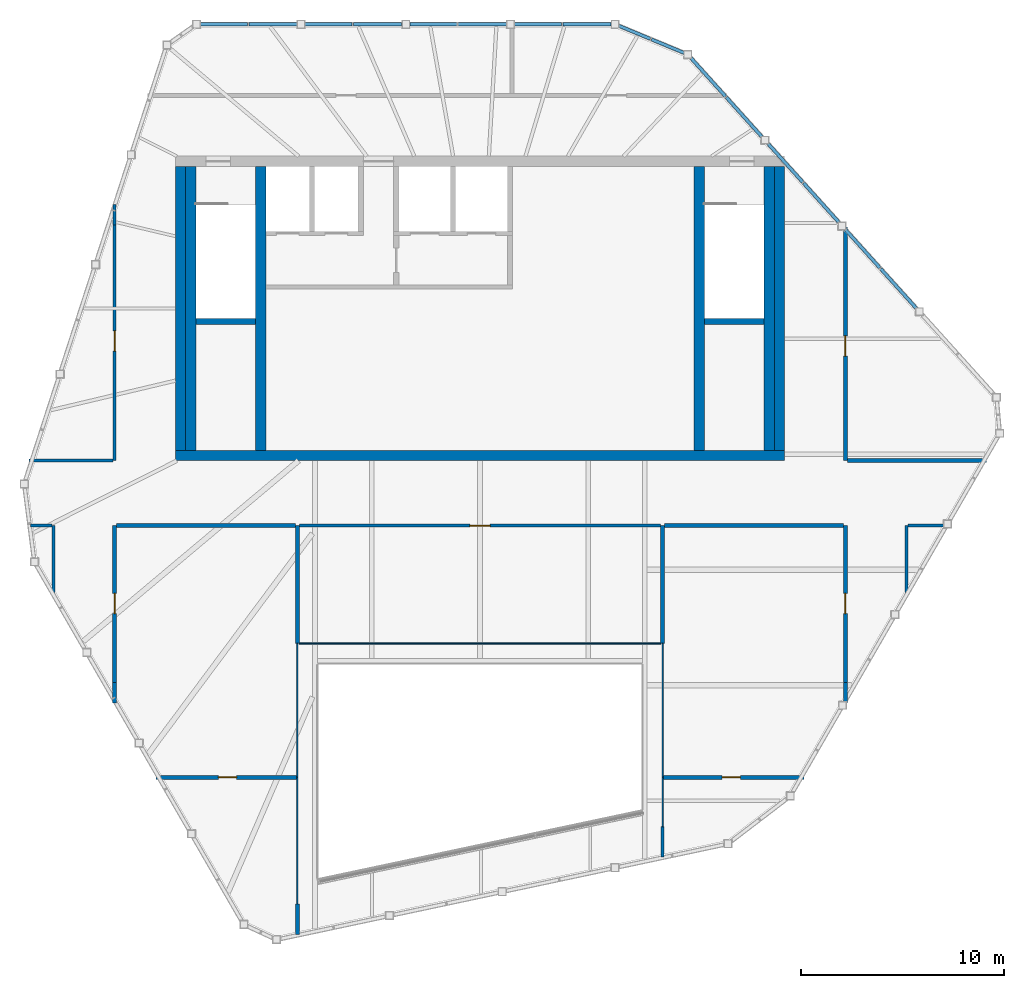
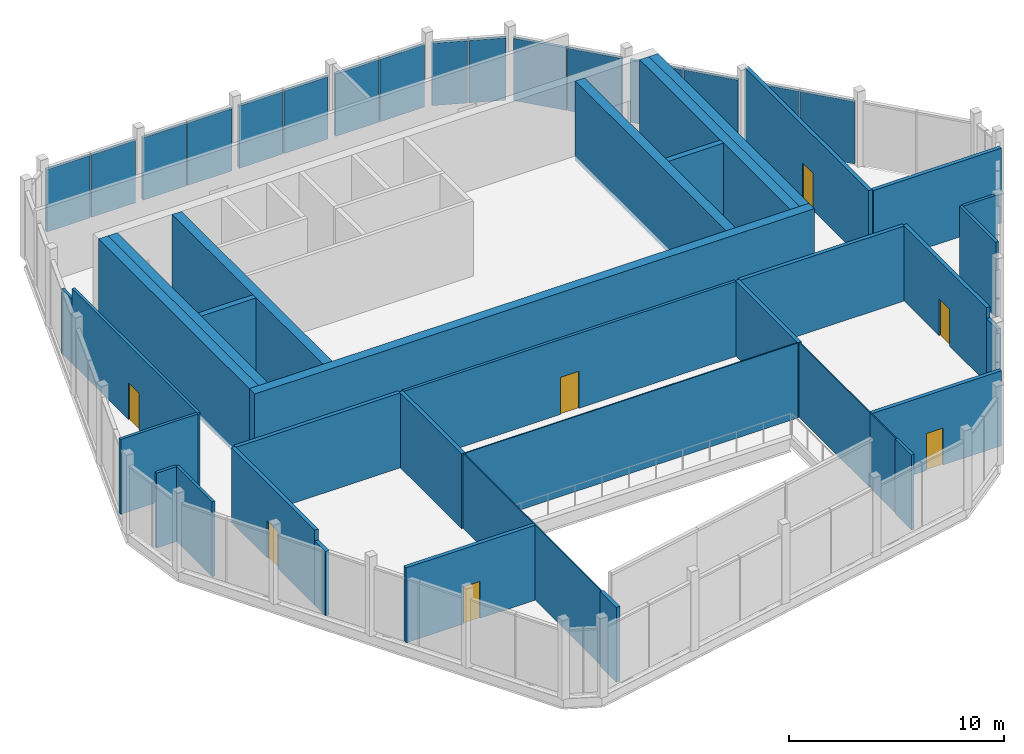
# One storey, part 8 of 10: 36 walls, 16 plates, 7 doors, 7 openings, 3 elements without a shape of their own.
"""IFC4 building model written with IfcOpenShell, lengths in metres."""

from ifc_helpers import new_model, si_unit, direction, frame, frame_2d, origin, origin_2d, place, context, subcontext, project, spatial, rectangle, extrude, material, layer, layer_set, type_object, element, fill, aggregate, save


model = new_model("IFC4")

# Units and contexts
model_context = context("Model", 3, precision=1e-05, world=origin(), true_north=direction((0.0, 1.0)))
body_context = subcontext(model_context, "Body", "Model", "MODEL_VIEW")
ifc_project = project(units=[si_unit("LENGTHUNIT", "METRE"), si_unit("AREAUNIT", "SQUARE_METRE"), si_unit("VOLUMEUNIT", "CUBIC_METRE"), si_unit("PLANEANGLEUNIT", "RADIAN"), si_unit("MASSUNIT", "GRAM", prefix="KILO")], contexts=[model_context])

# Site, building, storey
site_placement = place(None, origin())
site = spatial("IfcSite", under=ifc_project, at=site_placement, CompositionType="ELEMENT")
building_placement = place(site_placement, origin())
building = spatial("IfcBuilding", under=site, at=building_placement, Name="Isthmus Gate Tower", CompositionType="ELEMENT")
storey_placement = place(building_placement, frame((0.0, 0.0, 311.10009765625)))
storey = spatial("IfcBuildingStorey", under=building, at=storey_placement, Name="C3", CompositionType="ELEMENT", Elevation=311.10009765625)

# Curtain wall, plates
ifc_material_1 = material(Name="Aluminium, pale champagne anodised", Category="aluminium")
ifc_layer_1 = layer(ifc_material_1, 0.199951171875)
ifc_layer_set_1 = layer_set([ifc_layer_1], Name="CW-2 LOUVRE CURTAIN WALL 200 DEEP")
curtain_wall_type = type_object("IfcCurtainWallType", Name="CW-2 LOUVRE CURTAIN WALL 200 DEEP", PredefinedType="NOTDEFINED", material=ifc_layer_set_1)
curtain_wall_1_placement = place(storey_placement, origin())
curtain_wall_1 = element("IfcCurtainWall", 1, at=curtain_wall_1_placement, inside=storey, type_object=curtain_wall_type, Name="CW-2 E00 C3", PredefinedType="NOTDEFINED")
ifc_material_2 = material(Name="Aluminium louvre blades, pale champagne anodised", Category="aluminium")
ifc_layer_2 = layer(ifc_material_2, 0.159912109375)
ifc_layer_set_2 = layer_set([ifc_layer_2], Name="CW-2 LOUVRE PANEL 160")
plate_type = type_object("IfcPlateType", Name="CW-2 LOUVRE PANEL 160", PredefinedType="CURTAIN_PANEL", material=ifc_layer_set_2)
plate_1_placement = place(storey_placement, frame((5.26904296875, 21.5, -0.000244140625), z_axis=(0.0, 0.0, 1.0), x_axis=(-1.0, 0.0, 0.0)))
plate_1 = element("IfcPlate", 2, at=plate_1_placement, type_object=plate_type, Name="CW-2 louvre panel", PredefinedType="CURTAIN_PANEL", context=body_context, shape_type="SweptSolid", body=[
    extrude(rectangle(XDim=2.37548828125, YDim=0.159912109375, at=origin_2d()), origin(), (0.0, 0.0, 1.0), 3.5341796875),
])
plate_2_placement = place(storey_placement, frame((2.863525390625, 21.5, -0.000244140625), z_axis=(0.0, 0.0, 1.0), x_axis=(-1.0, 0.0, 0.0)))
plate_2 = element("IfcPlate", 3, at=plate_2_placement, type_object=plate_type, Name="CW-2 louvre panel", PredefinedType="CURTAIN_PANEL", context=body_context, shape_type="SweptSolid", body=[
    extrude(rectangle(XDim=2.3154296875, YDim=0.159912109375, at=origin_2d()), origin(), (0.0, 0.0, 1.0), 3.5341796875),
])
plate_3_placement = place(storey_placement, frame((0.11181640625, 21.5, -0.000244140625), z_axis=(0.0, 0.0, 1.0), x_axis=(-1.0, 0.0, 0.0)))
plate_3 = element("IfcPlate", 4, at=plate_3_placement, type_object=plate_type, Name="CW-2 louvre panel", PredefinedType="CURTAIN_PANEL", context=body_context, shape_type="SweptSolid", body=[
    extrude(rectangle(XDim=2.37548828125, YDim=0.159912109375, at=origin_2d()), origin(), (0.0, 0.0, 1.0), 3.5341796875),
])
plate_4_placement = place(storey_placement, frame((-2.293701171875, 21.5, -0.000244140625), z_axis=(0.0, 0.0, 1.0), x_axis=(-1.0, 0.0, 0.0)))
plate_4 = element("IfcPlate", 5, at=plate_4_placement, type_object=plate_type, Name="CW-2 louvre panel", PredefinedType="CURTAIN_PANEL", context=body_context, shape_type="SweptSolid", body=[
    extrude(rectangle(XDim=2.3154296875, YDim=0.159912109375, at=origin_2d()), origin(), (0.0, 0.0, 1.0), 3.5341796875),
])
plate_5_placement = place(storey_placement, frame((-5.045654296875, 21.5, -0.000244140625), z_axis=(0.0, 0.0, 1.0), x_axis=(-1.0, 0.0, 0.0)))
plate_5 = element("IfcPlate", 6, at=plate_5_placement, type_object=plate_type, Name="CW-2 louvre panel", PredefinedType="CURTAIN_PANEL", context=body_context, shape_type="SweptSolid", body=[
    extrude(rectangle(XDim=2.37548828125, YDim=0.159912109375, at=origin_2d()), origin(), (0.0, 0.0, 1.0), 3.5341796875),
])
plate_6_placement = place(storey_placement, frame((-7.451171875, 21.5, -0.000244140625), z_axis=(0.0, 0.0, 1.0), x_axis=(-1.0, 0.0, 0.0)))
plate_6 = element("IfcPlate", 7, at=plate_6_placement, type_object=plate_type, Name="CW-2 louvre panel", PredefinedType="CURTAIN_PANEL", context=body_context, shape_type="SweptSolid", body=[
    extrude(rectangle(XDim=2.3154296875, YDim=0.159912109375, at=origin_2d()), origin(), (0.0, 0.0, 1.0), 3.5341796875),
])
plate_7_placement = place(storey_placement, frame((-10.202880859375, 21.5, -0.000244140625), z_axis=(0.0, 0.0, 1.0), x_axis=(-1.0, 0.0, 0.0)))
plate_7 = element("IfcPlate", 8, at=plate_7_placement, type_object=plate_type, Name="CW-2 louvre panel", PredefinedType="CURTAIN_PANEL", context=body_context, shape_type="SweptSolid", body=[
    extrude(rectangle(XDim=2.37548828125, YDim=0.159912109375, at=origin_2d()), origin(), (0.0, 0.0, 1.0), 3.5341796875),
])
plate_8_placement = place(storey_placement, frame((-12.6083984375, 21.5, -0.000244140625), z_axis=(0.0, 0.0, 1.0), x_axis=(-1.0, 0.0, 0.0)))
plate_8 = element("IfcPlate", 9, at=plate_8_placement, type_object=plate_type, Name="CW-2 louvre panel", PredefinedType="CURTAIN_PANEL", context=body_context, shape_type="SweptSolid", body=[
    extrude(rectangle(XDim=2.3154296875, YDim=0.159912109375, at=origin_2d()), origin(), (0.0, 0.0, 1.0), 3.5341796875),
])
aggregate(curtain_wall_1, [plate_1, plate_2, plate_3, plate_4, plate_5, plate_6, plate_7, plate_8])

curtain_wall_2_placement = place(storey_placement, origin())
curtain_wall_2 = element("IfcCurtainWall", 10, at=curtain_wall_2_placement, inside=storey, type_object=curtain_wall_type, Name="CW-2 E10 C3", PredefinedType="NOTDEFINED")
plate_9_placement = place(storey_placement, frame((20.623779296875, 8.47509765625, -0.000244140625), z_axis=(0.0, 0.0, 1.0), x_axis=(-0.669130606359, 0.743144825477, 0.0)))
plate_9 = element("IfcPlate", 11, at=plate_9_placement, type_object=plate_type, Name="CW-2 louvre panel", PredefinedType="CURTAIN_PANEL", context=body_context, shape_type="SweptSolid", body=[
    extrude(rectangle(XDim=2.638427734375, YDim=0.159912109375, at=origin_2d()), origin(), (0.0, 0.0, 1.0), 3.5341796875),
])
plate_10_placement = place(storey_placement, frame((18.83837890625, 10.4580078125, -0.000244140625), z_axis=(0.0, 0.0, 1.0), x_axis=(-0.669130606359, 0.743144825477, 0.0)))
plate_10 = element("IfcPlate", 12, at=plate_10_placement, type_object=plate_type, Name="CW-2 louvre panel", PredefinedType="CURTAIN_PANEL", context=body_context, shape_type="SweptSolid", body=[
    extrude(rectangle(XDim=2.578369140625, YDim=0.159912109375, at=origin_2d()), origin(), (0.0, 0.0, 1.0), 3.5341796875),
])
plate_11_placement = place(storey_placement, frame((16.821044921875, 12.698486328125, -0.000244140625), z_axis=(0.0, 0.0, 1.0), x_axis=(-0.669130606359, 0.743144825477, 0.0)))
plate_11 = element("IfcPlate", 13, at=plate_11_placement, type_object=plate_type, Name="CW-2 louvre panel", PredefinedType="CURTAIN_PANEL", context=body_context, shape_type="SweptSolid", body=[
    extrude(rectangle(XDim=2.638427734375, YDim=0.159912109375, at=origin_2d()), origin(), (0.0, 0.0, 1.0), 3.5341796875),
])
plate_12_placement = place(storey_placement, frame((15.03564453125, 14.681396484375, -0.000244140625), z_axis=(0.0, 0.0, 1.0), x_axis=(-0.669130606359, 0.743144825477, 0.0)))
plate_12 = element("IfcPlate", 14, at=plate_12_placement, type_object=plate_type, Name="CW-2 louvre panel", PredefinedType="CURTAIN_PANEL", context=body_context, shape_type="SweptSolid", body=[
    extrude(rectangle(XDim=2.578369140625, YDim=0.159912109375, at=origin_2d()), origin(), (0.0, 0.0, 1.0), 3.5341796875),
])
plate_13_placement = place(storey_placement, frame((13.018310546875, 16.921630859375, -0.000244140625), z_axis=(0.0, 0.0, 1.0), x_axis=(-0.669130606359, 0.743144825477, 0.0)))
plate_13 = element("IfcPlate", 15, at=plate_13_placement, type_object=plate_type, Name="CW-2 louvre panel", PredefinedType="CURTAIN_PANEL", context=body_context, shape_type="SweptSolid", body=[
    extrude(rectangle(XDim=2.638427734375, YDim=0.159912109375, at=origin_2d()), origin(), (0.0, 0.0, 1.0), 3.5341796875),
])
plate_14_placement = place(storey_placement, frame((11.23291015625, 18.904541015625, -0.000244140625), z_axis=(0.0, 0.0, 1.0), x_axis=(-0.669130606359, 0.743144825477, 0.0)))
plate_14 = element("IfcPlate", 16, at=plate_14_placement, type_object=plate_type, Name="CW-2 louvre panel", PredefinedType="CURTAIN_PANEL", context=body_context, shape_type="SweptSolid", body=[
    extrude(rectangle(XDim=2.578369140625, YDim=0.159912109375, at=origin_2d()), origin(), (0.0, 0.0, 1.0), 3.5341796875),
])
aggregate(curtain_wall_2, [plate_9, plate_10, plate_11, plate_12, plate_13, plate_14])

curtain_wall_3_placement = place(storey_placement, origin())
curtain_wall_3 = element("IfcCurtainWall", 17, at=curtain_wall_3_placement, inside=storey, type_object=curtain_wall_type, Name="CW-2 E11 C3", PredefinedType="NOTDEFINED")
plate_15_placement = place(storey_placement, frame((9.2470703125, 20.42431640625, -0.000244140625), z_axis=(0.0, 0.0, 1.0), x_axis=(-0.923353128387, 0.383951820282, 0.0)))
plate_15 = element("IfcPlate", 18, at=plate_15_placement, type_object=plate_type, Name="CW-2 louvre panel", PredefinedType="CURTAIN_PANEL", context=body_context, shape_type="SweptSolid", body=[
    extrude(rectangle(XDim=1.732421875, YDim=0.159912109375, at=origin_2d()), origin(), (0.0, 0.0, 1.0), 3.5341796875),
])
plate_16_placement = place(storey_placement, frame((7.61962890625, 21.100830078125, -0.000244140625), z_axis=(0.0, 0.0, 1.0), x_axis=(-0.923353128387, 0.383951820282, 0.0)))
plate_16 = element("IfcPlate", 19, at=plate_16_placement, type_object=plate_type, Name="CW-2 louvre panel", PredefinedType="CURTAIN_PANEL", context=body_context, shape_type="SweptSolid", body=[
    extrude(rectangle(XDim=1.67236328125, YDim=0.159912109375, at=origin_2d()), origin(), (0.0, 0.0, 1.0), 3.5341796875),
])
aggregate(curtain_wall_3, [plate_15, plate_16])

# Wall, opening, door
ifc_material_3 = material(Name="Concrete f'c 30 MPa", Category="concrete")
ifc_layer_3 = layer(ifc_material_3, 0.199951171875)
ifc_layer_set_3 = layer_set([ifc_layer_3], Name="Fire-rated block wall 200")
wall_type_1 = type_object("IfcWallType", Name="Fire-rated block wall 200", PredefinedType="PARTITIONING", material=ifc_layer_set_3)
wall_1_placement = place(storey_placement, frame((-15.954833984375, -15.60009765625, 0.0), z_axis=(0.0, 0.0, 1.0), x_axis=(1.0, 0.0, 0.0)))
wall_1 = element("IfcWall", 20, at=wall_1_placement, inside=storey, type_object=wall_type_1, Name="Fire-rated wall", PredefinedType="PARTITIONING", context=body_context, shape_type="SweptSolid", body=[
    extrude(rectangle(XDim=6.9248046875, YDim=0.199951171875, at=frame_2d((3.46240234375, 0.0))), origin(), (0.0, 0.0, 1.0), 4.25),
])
opening_1_placement = place(wall_1_placement, frame((3.070068359375, 0.0, 0.0)))
opening_1 = element("IfcOpeningElement", 21, at=opening_1_placement, cuts=wall_1, Name="Opening DP79-08", PredefinedType="OPENING", context=body_context, shape_type="SweptSolid", body=[
    extrude(rectangle(XDim=0.89990234375, YDim=2.10009765625, at=frame_2d((0.449951171875, 1.050048828125))), frame((0.0, 0.10986328125, 0.0), z_axis=(0.0, -1.0, 0.0), x_axis=(1.0, 0.0, 0.0)), (0.0, 0.0, 1.0), 0.219970703125),
])
ifc_material_4 = material(Name="Steel fire door with intumescent seals", Category="steel")
door_type_1 = type_object("IfcDoorType", Name="Fire door 900 x 2100", OperationType="SINGLE_SWING_LEFT", PredefinedType="DOOR", material=ifc_material_4)
door_1_placement = place(opening_1_placement, origin())
door_1 = element("IfcDoor", 22, at=door_1_placement, inside=storey, type_object=door_type_1, Name="Door DP79-08", OperationType="SINGLE_SWING_LEFT", OverallHeight=2.10009765625, OverallWidth=0.89990234375, PredefinedType="DOOR", context=body_context, shape_type="SweptSolid", body=[
    extrude(rectangle(XDim=0.89990234375, YDim=2.10009765625, at=frame_2d((0.449951171875, 1.050048828125))), frame((0.0, 0.02490234375, 0.0), z_axis=(0.0, -1.0, 0.0), x_axis=(1.0, 0.0, 0.0)), (0.0, 0.0, 1.0), 0.050048828125),
])
fill(opening_1, door_1)

wall_2_placement = place(storey_placement, frame((9.030029296875, -15.60009765625, 0.0), z_axis=(0.0, 0.0, 1.0), x_axis=(1.0, 0.0, 0.0)))
wall_2 = element("IfcWall", 23, at=wall_2_placement, inside=storey, type_object=wall_type_1, Name="Fire-rated wall", PredefinedType="PARTITIONING", context=body_context, shape_type="SweptSolid", body=[
    extrude(rectangle(XDim=6.9248046875, YDim=0.199951171875, at=frame_2d((3.46240234375, 0.0))), origin(), (0.0, 0.0, 1.0), 4.25),
])
opening_2_placement = place(wall_2_placement, frame((2.89990234375, 0.0, 0.0)))
opening_2 = element("IfcOpeningElement", 24, at=opening_2_placement, cuts=wall_2, Name="Opening DP79-09", PredefinedType="OPENING", context=body_context, shape_type="SweptSolid", body=[
    extrude(rectangle(XDim=0.89990234375, YDim=2.10009765625, at=frame_2d((0.449951171875, 1.050048828125))), frame((0.0, 0.10986328125, 0.0), z_axis=(0.0, -1.0, 0.0), x_axis=(1.0, 0.0, 0.0)), (0.0, 0.0, 1.0), 0.219970703125),
])
door_2_placement = place(opening_2_placement, origin())
door_2 = element("IfcDoor", 25, at=door_2_placement, inside=storey, type_object=door_type_1, Name="Door DP79-09", OperationType="SINGLE_SWING_LEFT", OverallHeight=2.10009765625, OverallWidth=0.89990234375, PredefinedType="DOOR", context=body_context, shape_type="SweptSolid", body=[
    extrude(rectangle(XDim=0.89990234375, YDim=2.10009765625, at=frame_2d((0.449951171875, 1.050048828125))), frame((0.0, 0.02490234375, 0.0), z_axis=(0.0, -1.0, 0.0), x_axis=(1.0, 0.0, 0.0)), (0.0, 0.0, 1.0), 0.050048828125),
])
fill(opening_2, door_2)

# Walls
for number, where, z_axis, x_axis, name in (
    (26, (-17.89990234375, -3.199951171875, 0.0), (0.0, 0.0, 1.0), (1.0, 0.0, 0.0), "Fire-rated wall"),
    (27, (9.10009765625, -3.199951171875, 0.0), (0.0, 0.0, 1.0), (1.0, 0.0, 0.0), "Fire-rated wall"),
):
    element("IfcWall", number, at=place(storey_placement, frame(where, z_axis=z_axis, x_axis=x_axis)), inside=storey, type_object=wall_type_1, Name=name, PredefinedType="PARTITIONING", context=body_context, shape_type="SweptSolid", body=[
        extrude(rectangle(XDim=8.7998046875, YDim=0.199951171875, at=frame_2d((4.39990234375, 0.0))), origin(), (0.0, 0.0, 1.0), 4.25),
    ])
wall_3_placement = place(storey_placement, frame((18.10009765625, 0.0, 0.0), z_axis=(0.0, 0.0, 1.0), x_axis=(1.0, 0.0, 0.0)))
element("IfcWall", 28, at=wall_3_placement, inside=storey, type_object=wall_type_1, Name="Fire-rated wall", PredefinedType="PARTITIONING", context=body_context, shape_type="SweptSolid", body=[
    extrude(rectangle(XDim=6.861328125, YDim=0.199951171875, at=frame_2d((3.4306640625, 0.0))), origin(), (0.0, 0.0, 1.0), 4.25),
])
wall_4_placement = place(storey_placement, frame((-18.0, -11.93310546875, 0.0), z_axis=(0.0, 0.0, 1.0), x_axis=(0.0, 1.0, 0.0)))
element("IfcWall", 29, at=wall_4_placement, inside=storey, type_object=wall_type_1, Name="Fire-rated wall", PredefinedType="PARTITIONING", context=body_context, shape_type="SweptSolid", body=[
    extrude(rectangle(XDim=1.0, YDim=0.199951171875, at=frame_2d((0.5, 0.0))), origin(), (0.0, 0.0, 1.0), 3.634033203125),
])

# Wall, opening, door
wall_5_placement = place(storey_placement, frame((-18.0, -10.93310546875, 0.0), z_axis=(0.0, 0.0, 1.0), x_axis=(0.0, 1.0, 0.0)))
wall_5 = element("IfcWall", 30, at=wall_5_placement, inside=storey, type_object=wall_type_1, Name="Fire-rated wall", PredefinedType="PARTITIONING", context=body_context, shape_type="SweptSolid", body=[
    extrude(rectangle(XDim=7.733154296875, YDim=0.199951171875, at=frame_2d((3.86669921875, 0.0))), origin(), (0.0, 0.0, 1.0), 4.25),
])
opening_3_placement = place(wall_5_placement, frame((3.39990234375, 0.0, 0.0)))
opening_3 = element("IfcOpeningElement", 31, at=opening_3_placement, cuts=wall_5, Name="Opening DP79-06", PredefinedType="OPENING", context=body_context, shape_type="SweptSolid", body=[
    extrude(rectangle(XDim=1.0, YDim=2.10009765625, at=frame_2d((0.5, 1.050048828125))), frame((0.0, 0.10986328125, 0.0), z_axis=(0.0, -1.0, 0.0), x_axis=(1.0, 0.0, 0.0)), (0.0, 0.0, 1.0), 0.219970703125),
])
ifc_material_5 = material(Name="Steel fire door with intumescent seals", Category="steel")
door_type_2 = type_object("IfcDoorType", Name="Fire door 1000 x 2100", OperationType="SINGLE_SWING_LEFT", PredefinedType="DOOR", material=ifc_material_5)
door_3_placement = place(opening_3_placement, origin())
door_3 = element("IfcDoor", 32, at=door_3_placement, inside=storey, type_object=door_type_2, Name="Door DP79-06", OperationType="SINGLE_SWING_LEFT", OverallHeight=2.10009765625, OverallWidth=1.0, PredefinedType="DOOR", context=body_context, shape_type="SweptSolid", body=[
    extrude(rectangle(XDim=1.0, YDim=2.10009765625, at=frame_2d((0.5, 1.050048828125))), frame((0.0, 0.02490234375, 0.0), z_axis=(0.0, -1.0, 0.0), x_axis=(1.0, 0.0, 0.0)), (0.0, 0.0, 1.0), 0.050048828125),
])
fill(opening_3, door_3)

# Walls
wall_6_placement = place(storey_placement, frame((-9.0, -23.348876953125, 0.0), z_axis=(0.0, 0.0, 1.0), x_axis=(0.0, 1.0, 0.0)))
element("IfcWall", 33, at=wall_6_placement, inside=storey, type_object=wall_type_1, Name="Fire-rated wall", PredefinedType="PARTITIONING", context=body_context, shape_type="SweptSolid", body=[
    extrude(rectangle(XDim=1.5029296875, YDim=0.199951171875, at=frame_2d((0.75146484375, 0.0))), origin(), (0.0, 0.0, 1.0), 4.25),
])
for number, where, z_axis, x_axis, name in (
    (34, (-9.0, -9.0, 0.0), (0.0, 0.0, 1.0), (0.0, 1.0, 0.0), "Fire-rated wall"),
    (35, (9.0, -9.0, 0.0), (0.0, 0.0, 1.0), (0.0, 1.0, 0.0), "Fire-rated wall"),
):
    element("IfcWall", number, at=place(storey_placement, frame(where, z_axis=z_axis, x_axis=x_axis)), inside=storey, type_object=wall_type_1, Name=name, PredefinedType="PARTITIONING", context=body_context, shape_type="SweptSolid", body=[
        extrude(rectangle(XDim=5.800048828125, YDim=0.199951171875, at=frame_2d((2.89990234375, 0.0))), origin(), (0.0, 0.0, 1.0), 4.25),
    ])
wall_7_placement = place(storey_placement, frame((18.0, -11.93310546875, 0.0), z_axis=(0.0, 0.0, 1.0), x_axis=(0.0, 1.0, 0.0)))
element("IfcWall", 36, at=wall_7_placement, inside=storey, type_object=wall_type_1, Name="Fire-rated wall", PredefinedType="PARTITIONING", context=body_context, shape_type="SweptSolid", body=[
    extrude(rectangle(XDim=1.0, YDim=0.199951171875, at=frame_2d((0.5, 0.0))), origin(), (0.0, 0.0, 1.0), 3.634033203125),
])

# Wall, opening, door
wall_8_placement = place(storey_placement, frame((18.0, -10.93310546875, 0.0), z_axis=(0.0, 0.0, 1.0), x_axis=(0.0, 1.0, 0.0)))
wall_8 = element("IfcWall", 37, at=wall_8_placement, inside=storey, type_object=wall_type_1, Name="Fire-rated wall", PredefinedType="PARTITIONING", context=body_context, shape_type="SweptSolid", body=[
    extrude(rectangle(XDim=7.733154296875, YDim=0.199951171875, at=frame_2d((3.86669921875, 0.0))), origin(), (0.0, 0.0, 1.0), 4.25),
])
opening_4_placement = place(wall_8_placement, frame((3.39990234375, 0.0, 0.0)))
opening_4 = element("IfcOpeningElement", 38, at=opening_4_placement, cuts=wall_8, Name="Opening DP79-07", PredefinedType="OPENING", context=body_context, shape_type="SweptSolid", body=[
    extrude(rectangle(XDim=1.0, YDim=2.10009765625, at=frame_2d((0.5, 1.050048828125))), frame((0.0, 0.10986328125, 0.0), z_axis=(0.0, -1.0, 0.0), x_axis=(1.0, 0.0, 0.0)), (0.0, 0.0, 1.0), 0.219970703125),
])
door_4_placement = place(opening_4_placement, origin())
door_4 = element("IfcDoor", 39, at=door_4_placement, inside=storey, type_object=door_type_2, Name="Door DP79-07", OperationType="SINGLE_SWING_LEFT", OverallHeight=2.10009765625, OverallWidth=1.0, PredefinedType="DOOR", context=body_context, shape_type="SweptSolid", body=[
    extrude(rectangle(XDim=1.0, YDim=2.10009765625, at=frame_2d((0.5, 1.050048828125))), frame((0.0, 0.02490234375, 0.0), z_axis=(0.0, -1.0, 0.0), x_axis=(1.0, 0.0, 0.0)), (0.0, 0.0, 1.0), 0.050048828125),
])
fill(opening_4, door_4)

wall_9_placement = place(storey_placement, frame((18.0, 0.0, 0.0), z_axis=(0.0, 0.0, 1.0), x_axis=(0.0, 1.0, 0.0)))
wall_9 = element("IfcWall", 40, at=wall_9_placement, inside=storey, type_object=wall_type_1, Name="Fire-rated wall", PredefinedType="PARTITIONING", context=body_context, shape_type="SweptSolid", body=[
    extrude(rectangle(XDim=11.514404296875, YDim=0.199951171875, at=frame_2d((5.75732421875, 0.0))), origin(), (0.0, 0.0, 1.0), 4.25),
])
opening_5_placement = place(wall_9_placement, frame((5.14990234375, 0.0, 0.0)))
opening_5 = element("IfcOpeningElement", 41, at=opening_5_placement, cuts=wall_9, Name="Opening DP79-04", PredefinedType="OPENING", context=body_context, shape_type="SweptSolid", body=[
    extrude(rectangle(XDim=1.0, YDim=2.10009765625, at=frame_2d((0.5, 1.050048828125))), frame((0.0, 0.10986328125, 0.0), z_axis=(0.0, -1.0, 0.0), x_axis=(1.0, 0.0, 0.0)), (0.0, 0.0, 1.0), 0.219970703125),
])
door_5_placement = place(opening_5_placement, origin())
door_5 = element("IfcDoor", 42, at=door_5_placement, inside=storey, type_object=door_type_2, Name="Door DP79-04", OperationType="SINGLE_SWING_LEFT", OverallHeight=2.10009765625, OverallWidth=1.0, PredefinedType="DOOR", context=body_context, shape_type="SweptSolid", body=[
    extrude(rectangle(XDim=1.0, YDim=2.10009765625, at=frame_2d((0.5, 1.050048828125))), frame((0.0, 0.02490234375, 0.0), z_axis=(0.0, -1.0, 0.0), x_axis=(1.0, 0.0, 0.0)), (0.0, 0.0, 1.0), 0.050048828125),
])
fill(opening_5, door_5)

# Walls
ifc_material_6 = material(Name="Fire-rated laminated glass in steel frame", Category="steel")
ifc_layer_4 = layer(ifc_material_6, 0.06005859375)
ifc_layer_set_4 = layer_set([ifc_layer_4], Name="Fire-rated glazed atrium screen 60")
wall_type_2 = type_object("IfcWallType", Name="Fire-rated glazed atrium screen 60", PredefinedType="PARTITIONING", material=ifc_layer_set_4)
wall_10_placement = place(storey_placement, frame((-8.89990234375, -9.0, 0.0), z_axis=(0.0, 0.0, 1.0), x_axis=(1.0, 0.0, 0.0)))
element("IfcWall", 43, at=wall_10_placement, inside=storey, type_object=wall_type_2, Name="Atrium screen", PredefinedType="PARTITIONING", context=body_context, shape_type="SweptSolid", body=[
    extrude(rectangle(XDim=17.7998046875, YDim=0.06005859375, at=frame_2d((8.89990234375, 0.0))), origin(), (0.0, 0.0, 1.0), 4.25),
])
wall_11_placement = place(storey_placement, frame((-9.0, -21.845947265625, 0.0), z_axis=(0.0, 0.0, 1.0), x_axis=(0.0, 1.0, 0.0)))
element("IfcWall", 44, at=wall_11_placement, inside=storey, type_object=wall_type_2, Name="Atrium screen", PredefinedType="PARTITIONING", context=body_context, shape_type="SweptSolid", body=[
    extrude(rectangle(XDim=6.244873046875, YDim=0.06005859375, at=frame_2d((3.12255859375, 0.0))), origin(), (0.0, 0.0, 1.0), 4.25),
])
wall_12_placement = place(storey_placement, frame((-9.0, -15.59912109375, 0.0), z_axis=(0.0, 0.0, 1.0), x_axis=(0.0, 1.0, 0.0)))
element("IfcWall", 45, at=wall_12_placement, inside=storey, type_object=wall_type_2, Name="Atrium screen", PredefinedType="PARTITIONING", context=body_context, shape_type="SweptSolid", body=[
    extrude(rectangle(XDim=6.59814453125, YDim=0.06005859375, at=frame_2d((3.299072265625, 0.0))), origin(), (0.0, 0.0, 1.0), 4.25),
])
wall_13_placement = place(storey_placement, frame((9.0, -18.02001953125, 0.0), z_axis=(0.0, 0.0, 1.0), x_axis=(0.0, 1.0, 0.0)))
element("IfcWall", 46, at=wall_13_placement, inside=storey, type_object=wall_type_2, Name="Atrium screen", PredefinedType="PARTITIONING", context=body_context, shape_type="SweptSolid", body=[
    extrude(rectangle(XDim=2.4189453125, YDim=0.06005859375, at=frame_2d((1.20947265625, 0.0))), origin(), (0.0, 0.0, 1.0), 4.25),
])
wall_14_placement = place(storey_placement, frame((9.0, -15.59912109375, 0.0), z_axis=(0.0, 0.0, 1.0), x_axis=(0.0, 1.0, 0.0)))
element("IfcWall", 47, at=wall_14_placement, inside=storey, type_object=wall_type_2, Name="Atrium screen", PredefinedType="PARTITIONING", context=body_context, shape_type="SweptSolid", body=[
    extrude(rectangle(XDim=6.59814453125, YDim=0.06005859375, at=frame_2d((3.299072265625, 0.0))), origin(), (0.0, 0.0, 1.0), 4.25),
])
ifc_material_7 = material(Name="Gypsum board on cold-formed steel studs", Category="steel")
ifc_layer_5 = layer(ifc_material_7, 0.14990234375)
ifc_layer_set_5 = layer_set([ifc_layer_5])
wall_type_3 = type_object("IfcWallType", Name="Partition 150 gypsum board on steel studs", PredefinedType="PARTITIONING", material=ifc_layer_set_5)
wall_15_placement = place(storey_placement, frame((-22.1513671875, -3.199951171875, 0.0), z_axis=(0.0, 0.0, 1.0), x_axis=(1.0, 0.0, 0.0)))
element("IfcWall", 48, at=wall_15_placement, inside=storey, type_object=wall_type_3, Name="Partition", PredefinedType="PARTITIONING", context=body_context, shape_type="SweptSolid", body=[
    extrude(rectangle(XDim=1.076416015625, YDim=0.14990234375, at=frame_2d((0.5380859375, 0.0))), origin(), (0.0, 0.0, 1.0), 4.25),
])

# Wall, opening, door
wall_16_placement = place(storey_placement, frame((-8.89990234375, -3.199951171875, 0.0), z_axis=(0.0, 0.0, 1.0), x_axis=(1.0, 0.0, 0.0)))
wall_16 = element("IfcWall", 49, at=wall_16_placement, inside=storey, type_object=wall_type_3, Name="Partition", PredefinedType="PARTITIONING", context=body_context, shape_type="SweptSolid", body=[
    extrude(rectangle(XDim=17.7998046875, YDim=0.14990234375, at=frame_2d((8.89990234375, 0.0))), origin(), (0.0, 0.0, 1.0), 4.25),
])
opening_6_placement = place(wall_16_placement, frame((8.39990234375, 0.0, 0.0)))
opening_6 = element("IfcOpeningElement", 50, at=opening_6_placement, cuts=wall_16, Name="Opening DP79-05", PredefinedType="OPENING", context=body_context, shape_type="SweptSolid", body=[
    extrude(rectangle(XDim=1.0, YDim=2.10009765625, at=frame_2d((0.5, 1.050048828125))), frame((0.0, 0.0849609375, 0.0), z_axis=(0.0, -1.0, 0.0), x_axis=(1.0, 0.0, 0.0)), (0.0, 0.0, 1.0), 0.169921875),
])
ifc_material_8 = material(Name="Hollow metal frame with solid-core timber leaf", Category="wood")
door_type_3 = type_object("IfcDoorType", Name="Single swing door 1000 x 2100", OperationType="SINGLE_SWING_LEFT", PredefinedType="DOOR", material=ifc_material_8)
door_6_placement = place(opening_6_placement, origin())
door_6 = element("IfcDoor", 51, at=door_6_placement, inside=storey, type_object=door_type_3, Name="Door DP79-05", OperationType="SINGLE_SWING_LEFT", OverallHeight=2.10009765625, OverallWidth=1.0, PredefinedType="DOOR", context=body_context, shape_type="SweptSolid", body=[
    extrude(rectangle(XDim=1.0, YDim=2.10009765625, at=frame_2d((0.5, 1.050048828125))), frame((0.0, 0.02490234375, 0.0), z_axis=(0.0, -1.0, 0.0), x_axis=(1.0, 0.0, 0.0)), (0.0, 0.0, 1.0), 0.050048828125),
])
fill(opening_6, door_6)

# Walls
wall_17_placement = place(storey_placement, frame((21.074951171875, -3.199951171875, 0.0), z_axis=(0.0, 0.0, 1.0), x_axis=(1.0, 0.0, 0.0)))
element("IfcWall", 52, at=wall_17_placement, inside=storey, type_object=wall_type_3, Name="Partition", PredefinedType="PARTITIONING", context=body_context, shape_type="SweptSolid", body=[
    extrude(rectangle(XDim=1.868896484375, YDim=0.14990234375, at=frame_2d((0.9345703125, 0.0))), origin(), (0.0, 0.0, 1.0), 4.25),
])
wall_18_placement = place(storey_placement, frame((-22.21630859375, 0.0, 0.0), z_axis=(0.0, 0.0, 1.0), x_axis=(1.0, 0.0, 0.0)))
element("IfcWall", 53, at=wall_18_placement, inside=storey, type_object=wall_type_3, Name="Partition", PredefinedType="PARTITIONING", context=body_context, shape_type="SweptSolid", body=[
    extrude(rectangle(XDim=4.141357421875, YDim=0.14990234375, at=frame_2d((2.07080078125, 0.0))), origin(), (0.0, 0.0, 1.0), 4.25),
])
wall_19_placement = place(storey_placement, frame((-21.0, -6.56689453125, 0.0), z_axis=(0.0, 0.0, 1.0), x_axis=(0.0, 1.0, 0.0)))
element("IfcWall", 54, at=wall_19_placement, inside=storey, type_object=wall_type_3, Name="Partition", PredefinedType="PARTITIONING", context=body_context, shape_type="SweptSolid", body=[
    extrude(rectangle(XDim=3.365966796875, YDim=0.14990234375, at=frame_2d((1.68310546875, 0.0))), origin(), (0.0, 0.0, 1.0), 4.25),
])

# Wall, opening, door
wall_20_placement = place(storey_placement, frame((-18.0, 0.0, 0.0), z_axis=(0.0, 0.0, 1.0), x_axis=(0.0, 1.0, 0.0)))
wall_20 = element("IfcWall", 55, at=wall_20_placement, inside=storey, type_object=wall_type_3, Name="Partition", PredefinedType="PARTITIONING", context=body_context, shape_type="SweptSolid", body=[
    extrude(rectangle(XDim=11.62353515625, YDim=0.14990234375, at=frame_2d((5.811767578125, 0.0))), origin(), (0.0, 0.0, 1.0), 4.25),
])
opening_7_placement = place(wall_20_placement, frame((5.39990234375, 0.0, 0.0)))
opening_7 = element("IfcOpeningElement", 56, at=opening_7_placement, cuts=wall_20, Name="Opening DP79-03", PredefinedType="OPENING", context=body_context, shape_type="SweptSolid", body=[
    extrude(rectangle(XDim=1.0, YDim=2.10009765625, at=frame_2d((0.5, 1.050048828125))), frame((0.0, 0.0849609375, 0.0), z_axis=(0.0, -1.0, 0.0), x_axis=(1.0, 0.0, 0.0)), (0.0, 0.0, 1.0), 0.169921875),
])
door_7_placement = place(opening_7_placement, origin())
door_7 = element("IfcDoor", 57, at=door_7_placement, inside=storey, type_object=door_type_3, Name="Door DP79-03", OperationType="SINGLE_SWING_LEFT", OverallHeight=2.10009765625, OverallWidth=1.0, PredefinedType="DOOR", context=body_context, shape_type="SweptSolid", body=[
    extrude(rectangle(XDim=1.0, YDim=2.10009765625, at=frame_2d((0.5, 1.050048828125))), frame((0.0, 0.02490234375, 0.0), z_axis=(0.0, -1.0, 0.0), x_axis=(1.0, 0.0, 0.0)), (0.0, 0.0, 1.0), 0.050048828125),
])
fill(opening_7, door_7)

# Walls
wall_21_placement = place(storey_placement, frame((-18.0, 11.62353515625, 0.0), z_axis=(0.0, 0.0, 1.0), x_axis=(0.0, 1.0, 0.0)))
element("IfcWall", 58, at=wall_21_placement, inside=storey, type_object=wall_type_3, Name="Partition", PredefinedType="PARTITIONING", context=body_context, shape_type="SweptSolid", body=[
    extrude(rectangle(XDim=1.0, YDim=0.14990234375, at=frame_2d((0.5, 0.0))), origin(), (0.0, 0.0, 1.0), 3.634033203125),
])
wall_22_placement = place(storey_placement, frame((9.0, -19.522705078125, 0.0), z_axis=(0.0, 0.0, 1.0), x_axis=(0.0, 1.0, 0.0)))
element("IfcWall", 59, at=wall_22_placement, inside=storey, type_object=wall_type_3, Name="Partition", PredefinedType="PARTITIONING", context=body_context, shape_type="SweptSolid", body=[
    extrude(rectangle(XDim=1.502685546875, YDim=0.14990234375, at=frame_2d((0.75146484375, 0.0))), origin(), (0.0, 0.0, 1.0), 4.25),
])
wall_23_placement = place(storey_placement, frame((21.0, -6.56689453125, 0.0), z_axis=(0.0, 0.0, 1.0), x_axis=(0.0, 1.0, 0.0)))
element("IfcWall", 60, at=wall_23_placement, inside=storey, type_object=wall_type_3, Name="Partition", PredefinedType="PARTITIONING", context=body_context, shape_type="SweptSolid", body=[
    extrude(rectangle(XDim=3.365966796875, YDim=0.14990234375, at=frame_2d((1.68310546875, 0.0))), origin(), (0.0, 0.0, 1.0), 4.25),
])
ifc_material_9 = material(Name="Concrete f'c 50 MPa", Category="concrete")
ifc_layer_6 = layer(ifc_material_9, 0.5)
ifc_layer_set_6 = layer_set([ifc_layer_6], Name="RC CORE SPINE WALL 500 F'C 50")
wall_type_4 = type_object("IfcWallType", Name="RC CORE SPINE WALL 500 F'C 50", PredefinedType="SOLIDWALL", material=ifc_layer_set_6)
for number, where, z_axis, x_axis, name in (
    (61, (-10.800048828125, 0.5, -0.25), (0.0, 0.0, 1.0), (0.0, 1.0, 0.0), "str-corewall-C3-SPW"),
    (62, (10.800048828125, 0.5, -0.25), (0.0, 0.0, 1.0), (0.0, 1.0, 0.0), "str-corewall-C3-SPE"),
):
    element("IfcWall", number, at=place(storey_placement, frame(where, z_axis=z_axis, x_axis=x_axis)), inside=storey, type_object=wall_type_4, Name=name, PredefinedType="SOLIDWALL", context=body_context, shape_type="SweptSolid", body=[
        extrude(rectangle(XDim=14.0, YDim=0.5, at=frame_2d((7.0, 0.0))), origin(), (0.0, 0.0, 1.0), 4.5),
    ])
ifc_material_10 = material(Name="Concrete f'c 50 MPa", Category="concrete")
ifc_layer_7 = layer(ifc_material_10, 0.5)
ifc_layer_set_7 = layer_set([ifc_layer_7], Name="RC CORE WALL 500 F'C 50")
wall_type_5 = type_object("IfcWallType", Name="RC CORE WALL 500 F'C 50", PredefinedType="SOLIDWALL", material=ifc_layer_set_7)
wall_24_placement = place(storey_placement, frame((-15.0, 0.25, -0.25), z_axis=(0.0, 0.0, 1.0), x_axis=(1.0, 0.0, 0.0)))
element("IfcWall", 63, at=wall_24_placement, inside=storey, type_object=wall_type_5, Name="str-corewall-C3-S", PredefinedType="SOLIDWALL", context=body_context, shape_type="SweptSolid", body=[
    extrude(rectangle(XDim=30.0, YDim=0.5, at=frame_2d((15.0, 0.0))), origin(), (0.0, 0.0, 1.0), 4.5),
])
for number, where, z_axis, x_axis, name in (
    (64, (-14.75, 0.5, -0.25), (0.0, 0.0, 1.0), (0.0, 1.0, 0.0), "str-corewall-C3-W"),
    (65, (14.75, 0.5, -0.25), (0.0, 0.0, 1.0), (0.0, 1.0, 0.0), "str-corewall-C3-E"),
):
    element("IfcWall", number, at=place(storey_placement, frame(where, z_axis=z_axis, x_axis=x_axis)), inside=storey, type_object=wall_type_5, Name=name, PredefinedType="SOLIDWALL", context=body_context, shape_type="SweptSolid", body=[
        extrude(rectangle(XDim=14.0, YDim=0.5, at=frame_2d((7.0, 0.0))), origin(), (0.0, 0.0, 1.0), 4.5),
    ])
ifc_material_11 = material(Name="Concrete f'c 40 MPa", Category="concrete")
ifc_layer_8 = layer(ifc_material_11, 0.300048828125)
ifc_layer_set_8 = layer_set([ifc_layer_8], Name="STAIR ENCLOSURE WALL 300 180 MIN")
wall_type_6 = type_object("IfcWallType", Name="STAIR ENCLOSURE WALL 300 180 MIN", PredefinedType="SOLIDWALL", material=ifc_layer_set_8)
for number, where, z_axis, x_axis, name in (
    (66, (-14.0, 6.85009765625, 0.0), (0.0, 0.0, 1.0), (1.0, 0.0, 0.0), "C3 STAIR ENCLOSURE WALL 300 180 MIN"),
    (67, (11.050048828125, 6.85009765625, 0.0), (0.0, 0.0, 1.0), (1.0, 0.0, 0.0), "C3 STAIR ENCLOSURE WALL 300 180 MIN"),
):
    element("IfcWall", number, at=place(storey_placement, frame(where, z_axis=z_axis, x_axis=x_axis)), inside=storey, type_object=wall_type_6, Name=name, PredefinedType="SOLIDWALL", context=body_context, shape_type="SweptSolid", body=[
        extrude(rectangle(XDim=2.949951171875, YDim=0.300048828125, at=frame_2d((1.47509765625, 0.0))), origin(), (0.0, 0.0, 1.0), 4.25),
    ])
ifc_material_12 = material(Name="Concrete f'c 40 MPa", Category="concrete")
ifc_layer_9 = layer(ifc_material_12, 0.5)
ifc_layer_set_9 = layer_set([ifc_layer_9], Name="STAIR ENCLOSURE WALL 500 180 MIN")
wall_type_7 = type_object("IfcWallType", Name="STAIR ENCLOSURE WALL 500 180 MIN", PredefinedType="SOLIDWALL", material=ifc_layer_set_9)
for number, where, z_axis, x_axis, name in (
    (68, (-14.25, 0.5, 0.0), (0.0, 0.0, 1.0), (0.0, 1.0, 0.0), "C3 STAIR ENCLOSURE WALL 500 180 MIN"),
    (69, (14.25, 0.5, 0.0), (0.0, 0.0, 1.0), (0.0, 1.0, 0.0), "C3 STAIR ENCLOSURE WALL 500 180 MIN"),
):
    element("IfcWall", number, at=place(storey_placement, frame(where, z_axis=z_axis, x_axis=x_axis)), inside=storey, type_object=wall_type_7, Name=name, PredefinedType="SOLIDWALL", context=body_context, shape_type="SweptSolid", body=[
        extrude(rectangle(XDim=14.0, YDim=0.5, at=frame_2d((7.0, 0.0))), origin(), (0.0, 0.0, 1.0), 4.25),
    ])

save(model, "model.ifc")
